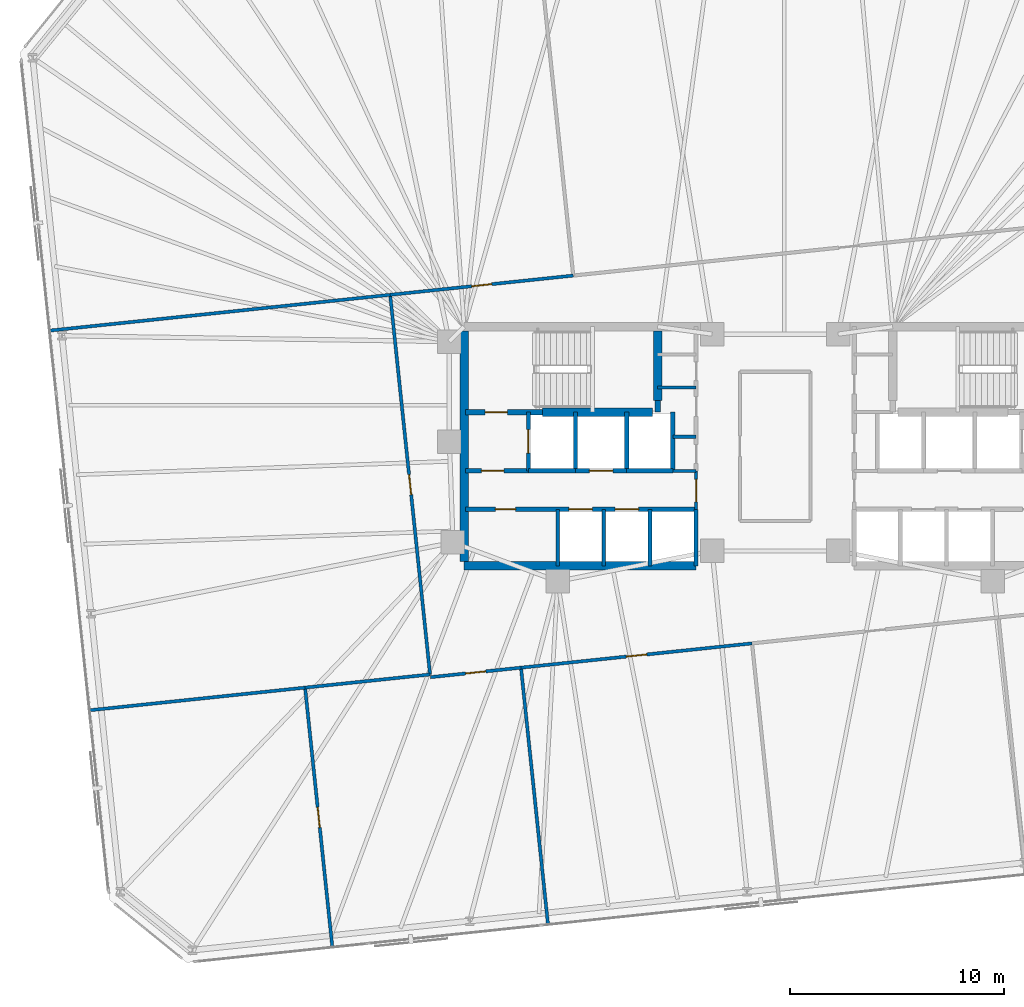
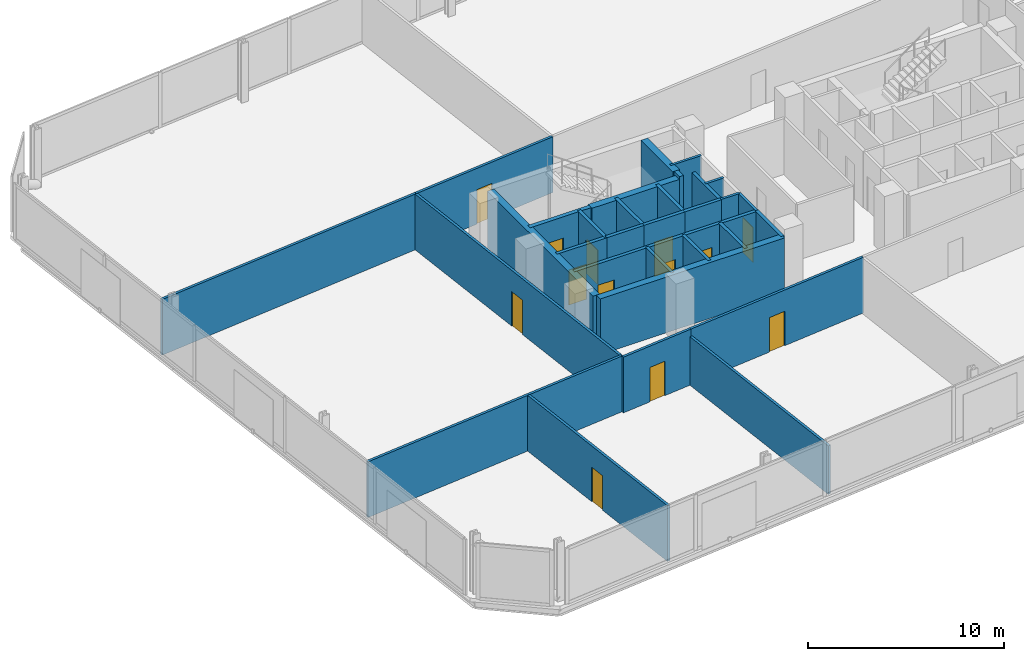
# One storey, part 14 of 18: 32 walls, 13 doors, 13 openings.
"""IFC4 building model written with IfcOpenShell, lengths in metres."""

from ifc_helpers import new_model, si_unit, direction, frame, frame_2d, origin, place, context, subcontext, project, spatial, rectangle, extrude, material, layer, layer_set, type_object, element, fill, save


model = new_model("IFC4")

# Units and contexts
model_context = context("Model", 3, precision=1e-05, world=origin(), true_north=direction((0.0, 1.0)))
body_context = subcontext(model_context, "Body", "Model", "MODEL_VIEW")
ifc_project = project(units=[si_unit("LENGTHUNIT", "METRE"), si_unit("AREAUNIT", "SQUARE_METRE"), si_unit("VOLUMEUNIT", "CUBIC_METRE"), si_unit("PLANEANGLEUNIT", "RADIAN"), si_unit("MASSUNIT", "GRAM", prefix="KILO")], contexts=[model_context])

# Site, building, storey
site_placement = place(None, origin())
site = spatial("IfcSite", under=ifc_project, at=site_placement, CompositionType="ELEMENT")
building_placement = place(site_placement, origin())
building = spatial("IfcBuilding", under=site, at=building_placement, Name="Menara Jurai Vektor", CompositionType="ELEMENT")
storey_placement = place(building_placement, frame((0.0, 0.0, 102.199951171875)))
storey = spatial("IfcBuildingStorey", under=building, at=storey_placement, Name="L25", CompositionType="ELEMENT", Elevation=102.199951171875)

# Wall, opening, door
ifc_material_1 = material(Name="Concrete C40/50", Category="concrete")
ifc_layer_1 = layer(ifc_material_1, 0.25)
ifc_layer_set_1 = layer_set([ifc_layer_1], Name="Concrete C40/50")
wall_type_1 = type_object("IfcWallType", Name="INT-WALL-CORE-250", PredefinedType="STANDARD", material=ifc_layer_set_1)
wall_1_placement = place(storey_placement, frame((-14.5, 1.60009765625, 0.0), z_axis=(0.0, 0.0, 1.0), x_axis=(1.0, 0.0, 0.0)))
wall_1 = element("IfcWall", 1, at=wall_1_placement, inside=storey, type_object=wall_type_1, Name="Interior Wall IW-250 L25", PredefinedType="STANDARD", context=body_context, shape_type="SweptSolid", body=[
    extrude(rectangle(XDim=3.60009765625, YDim=0.25, at=frame_2d((1.800048828125, 0.0))), origin(), (0.0, 0.0, 1.0), 3.47509765625),
])
opening_1_placement = place(wall_1_placement, frame((0.919921875, 0.0, 0.0)))
opening_1 = element("IfcOpeningElement", 2, at=opening_1_placement, cuts=wall_1, Name="Opening D-L25-ST1", PredefinedType="OPENING", context=body_context, shape_type="SweptSolid", body=[
    extrude(rectangle(XDim=1.050048828125, YDim=2.14990234375, at=frame_2d((0.52490234375, 1.074951171875))), frame((0.0, 0.135009765625, 0.0), z_axis=(0.0, -1.0, 0.0), x_axis=(1.0, 0.0, 0.0)), (0.0, 0.0, 1.0), 0.27001953125),
])
ifc_material_2 = material(Name="Fire-Rated Steel Door", Category="steel")
door_type_1 = type_object("IfcDoorType", Name="DR-STAIR-1050", OperationType="NOTDEFINED", PredefinedType="DOOR", material=ifc_material_2)
door_1_placement = place(opening_1_placement, origin())
door_1 = element("IfcDoor", 3, at=door_1_placement, inside=storey, type_object=door_type_1, Name="Exit Stair ST1 Door L25", OperationType="SINGLE_SWING_RIGHT", OverallHeight=2.14990234375, OverallWidth=1.050048828125, PredefinedType="DOOR", context=body_context, shape_type="SweptSolid", body=[
    extrude(rectangle(XDim=1.050048828125, YDim=2.14990234375, at=frame_2d((0.52490234375, 1.074951171875))), frame((0.0, 0.02490234375, 0.0), z_axis=(0.0, -1.0, 0.0), x_axis=(1.0, 0.0, 0.0)), (0.0, 0.0, 1.0), 0.050048828125),
])
fill(opening_1, door_1)

# Wall
wall_2_placement = place(storey_placement, frame((-5.5, 1.60009765625, 0.0), z_axis=(0.0, 0.0, 1.0), x_axis=(0.0, 1.0, 0.0)))
element("IfcWall", 4, at=wall_2_placement, inside=storey, type_object=wall_type_1, Name="Interior Wall IW-250 L25", PredefinedType="STANDARD", context=body_context, shape_type="SweptSolid", body=[
    extrude(rectangle(XDim=0.5498046875, YDim=0.25, at=frame_2d((0.27490234375, 0.0))), origin(), (0.0, 0.0, 1.0), 3.47509765625),
])

# Wall, opening, door
wall_3_placement = place(storey_placement, frame((-11.550048828125, -1.14990234375, 0.0), z_axis=(0.0, 0.0, 1.0), x_axis=(0.0, 1.0, 0.0)))
wall_3 = element("IfcWall", 5, at=wall_3_placement, inside=storey, type_object=wall_type_1, Name="Interior Wall IW-250 L25", PredefinedType="STANDARD", context=body_context, shape_type="SweptSolid", body=[
    extrude(rectangle(XDim=2.75, YDim=0.199951171875, at=frame_2d((1.375, 0.0))), origin(), (0.0, 0.0, 1.0), 3.47509765625),
])
opening_2_placement = place(wall_3_placement, frame((0.824951171875, 0.0, 0.0)))
opening_2 = element("IfcOpeningElement", 6, at=opening_2_placement, cuts=wall_3, Name="Opening LD-L25-FL1", PredefinedType="OPENING", context=body_context, shape_type="SweptSolid", body=[
    extrude(rectangle(XDim=1.10009765625, YDim=2.14990234375, at=frame_2d((0.550048828125, 1.074951171875))), frame((0.0, 0.10986328125, 0.0), z_axis=(0.0, -1.0, 0.0), x_axis=(1.0, 0.0, 0.0)), (0.0, 0.0, 1.0), 0.219970703125),
])
ifc_material_3 = material(Name="Stainless Steel Sliding Lift Landing Door", Category="steel")
door_type_2 = type_object("IfcDoorType", Name="DR-LIFT-FIRE-1100", OperationType="NOTDEFINED", PredefinedType="DOOR", material=ifc_material_3)
door_2_placement = place(opening_2_placement, origin())
door_2 = element("IfcDoor", 7, at=door_2_placement, inside=storey, type_object=door_type_2, Name="Lift Landing Door FL1 L25", OperationType="SLIDING_TO_RIGHT", OverallHeight=2.14990234375, OverallWidth=1.10009765625, PredefinedType="DOOR", context=body_context, shape_type="SweptSolid", body=[
    extrude(rectangle(XDim=1.10009765625, YDim=2.14990234375, at=frame_2d((0.550048828125, 1.074951171875))), frame((0.0, 0.02490234375, 0.0), z_axis=(0.0, -1.0, 0.0), x_axis=(1.0, 0.0, 0.0)), (0.0, 0.0, 1.0), 0.050048828125),
])
fill(opening_2, door_2)

# Wall
wall_4_placement = place(storey_placement, frame((-9.35009765625, -1.14990234375, 0.0), z_axis=(0.0, 0.0, 1.0), x_axis=(0.0, 1.0, 0.0)))
element("IfcWall", 8, at=wall_4_placement, inside=storey, type_object=wall_type_1, Name="Interior Wall IW-250 L25", PredefinedType="STANDARD", context=body_context, shape_type="SweptSolid", body=[
    extrude(rectangle(XDim=2.75, YDim=0.199951171875, at=frame_2d((1.375, 0.0))), origin(), (0.0, 0.0, 1.0), 3.47509765625),
])

# Wall, opening, door
wall_5_placement = place(storey_placement, frame((-14.5, -1.14990234375, 0.0), z_axis=(0.0, 0.0, 1.0), x_axis=(1.0, 0.0, 0.0)))
wall_5 = element("IfcWall", 9, at=wall_5_placement, inside=storey, type_object=wall_type_1, Name="Interior Wall IW-250 L25", PredefinedType="STANDARD", context=body_context, shape_type="SweptSolid", body=[
    extrude(rectangle(XDim=2.949951171875, YDim=0.199951171875, at=frame_2d((1.47509765625, 0.0))), origin(), (0.0, 0.0, 1.0), 3.47509765625),
])
opening_3_placement = place(wall_5_placement, frame((0.75, 0.0, 0.0)))
opening_3 = element("IfcOpeningElement", 10, at=opening_3_placement, cuts=wall_5, Name="Opening D-L25-FFW", PredefinedType="OPENING", context=body_context, shape_type="SweptSolid", body=[
    extrude(rectangle(XDim=1.050048828125, YDim=2.179931640625, at=frame_2d((0.52490234375, 1.08984375))), frame((0.0, 0.10986328125, 0.0), z_axis=(0.0, -1.0, 0.0), x_axis=(1.0, 0.0, 0.0)), (0.0, 0.0, 1.0), 0.219970703125),
])
ifc_material_4 = material(Name="Fire-Rated Timber Door", Category="wood")
door_type_3 = type_object("IfcDoorType", Name="DR-LOBBY-1050", OperationType="NOTDEFINED", PredefinedType="DOOR", material=ifc_material_4)
door_3_placement = place(opening_3_placement, origin())
door_3 = element("IfcDoor", 11, at=door_3_placement, inside=storey, type_object=door_type_3, Name="Fire Lift Lobby Door W L25", OperationType="SINGLE_SWING_RIGHT", OverallHeight=2.179931640625, OverallWidth=1.050048828125, PredefinedType="DOOR", context=body_context, shape_type="SweptSolid", body=[
    extrude(rectangle(XDim=1.050048828125, YDim=2.179931640625, at=frame_2d((0.52490234375, 1.08984375))), frame((0.0, 0.02490234375, 0.0), z_axis=(0.0, -1.0, 0.0), x_axis=(1.0, 0.0, 0.0)), (0.0, 0.0, 1.0), 0.050048828125),
])
fill(opening_3, door_3)

# Wall
wall_6_placement = place(storey_placement, frame((-11.550048828125, -1.14990234375, 0.0), z_axis=(0.0, 0.0, 1.0), x_axis=(1.0, 0.0, 0.0)))
element("IfcWall", 12, at=wall_6_placement, inside=storey, type_object=wall_type_1, Name="Interior Wall IW-250 L25", PredefinedType="STANDARD", context=body_context, shape_type="SweptSolid", body=[
    extrude(rectangle(XDim=2.199951171875, YDim=0.199951171875, at=frame_2d((1.10009765625, 0.0))), origin(), (0.0, 0.0, 1.0), 3.47509765625),
])

# Wall, opening, door
ifc_material_5 = material(Name="Gypsum Fireboard Partition", Category="gypsum")
ifc_layer_2 = layer(ifc_material_5, 0.14990234375)
ifc_layer_set_2 = layer_set([ifc_layer_2], Name="Gypsum Fireboard Partition")
wall_type_2 = type_object("IfcWallType", Name="INT-WALL-CORR-150", PredefinedType="PARTITIONING", material=ifc_layer_set_2)
wall_7_placement = place(storey_placement, frame((-3.699951171875, -2.949951171875, 0.0), z_axis=(0.0, 0.0, 1.0), x_axis=(0.0, 1.0, 0.0)))
wall_7 = element("IfcWall", 13, at=wall_7_placement, inside=storey, type_object=wall_type_2, Name="Interior Wall IW-150 L25", PredefinedType="PARTITIONING", context=body_context, shape_type="SweptSolid", body=[
    extrude(rectangle(XDim=1.800048828125, YDim=0.14990234375, at=frame_2d((0.89990234375, 0.0))), origin(), (0.0, 0.0, 1.0), 3.47509765625),
])
opening_4_placement = place(wall_7_placement, frame((0.35009765625, 0.0, 0.0)))
opening_4 = element("IfcOpeningElement", 14, at=opening_4_placement, cuts=wall_7, Name="Opening D-L25-LLW", PredefinedType="OPENING", context=body_context, shape_type="SweptSolid", body=[
    extrude(rectangle(XDim=1.050048828125, YDim=2.179931640625, at=frame_2d((0.52490234375, 1.08984375))), frame((0.0, 0.0849609375, 0.0), z_axis=(0.0, -1.0, 0.0), x_axis=(1.0, 0.0, 0.0)), (0.0, 0.0, 1.0), 0.169921875),
])
door_4_placement = place(opening_4_placement, origin())
door_4 = element("IfcDoor", 15, at=door_4_placement, inside=storey, type_object=door_type_3, Name="Lift Lobby Corridor Door W L25", OperationType="SINGLE_SWING_LEFT", OverallHeight=2.179931640625, OverallWidth=1.050048828125, PredefinedType="DOOR", context=body_context, shape_type="SweptSolid", body=[
    extrude(rectangle(XDim=1.050048828125, YDim=2.179931640625, at=frame_2d((0.52490234375, 1.08984375))), frame((0.0, 0.02490234375, 0.0), z_axis=(0.0, -1.0, 0.0), x_axis=(1.0, 0.0, 0.0)), (0.0, 0.0, 1.0), 0.050048828125),
])
fill(opening_4, door_4)

# Walls
for number, where, z_axis, x_axis, name in (
    (16, (-4.7900390625, -1.14990234375, 0.0), (0.0, 0.0, 1.0), (1.0, 0.0, 0.0), "Interior Wall IW-150 L25"),
    (17, (-4.7900390625, 0.449951171875, 0.0), (0.0, 0.0, 1.0), (1.0, 0.0, 0.0), "Interior Wall IW-150 L25"),
):
    element("IfcWall", number, at=place(storey_placement, frame(where, z_axis=z_axis, x_axis=x_axis)), inside=storey, type_object=wall_type_2, Name=name, PredefinedType="PARTITIONING", context=body_context, shape_type="SweptSolid", body=[
        extrude(rectangle(XDim=1.090087890625, YDim=0.14990234375, at=frame_2d((0.544921875, 0.0))), origin(), (0.0, 0.0, 1.0), 3.47509765625),
    ])
wall_8_placement = place(storey_placement, frame((-5.5, 2.75, 0.0), z_axis=(0.0, 0.0, 1.0), x_axis=(1.0, 0.0, 0.0)))
element("IfcWall", 18, at=wall_8_placement, inside=storey, type_object=wall_type_2, Name="Interior Wall IW-150 L25", PredefinedType="PARTITIONING", context=body_context, shape_type="SweptSolid", body=[
    extrude(rectangle(XDim=1.800048828125, YDim=0.14990234375, at=frame_2d((0.89990234375, 0.0))), origin(), (0.0, 0.0, 1.0), 3.47509765625),
])

# Wall, opening, door
wall_9_placement = place(storey_placement, frame((-18.021240234375, 7.09033203125, 0.0), z_axis=(0.0, 0.0, 1.0), x_axis=(0.994522981742, 0.104518126592, 0.0)))
wall_9 = element("IfcWall", 19, at=wall_9_placement, inside=storey, type_object=wall_type_2, Name="Interior Wall IW-150 L25", PredefinedType="PARTITIONING", context=body_context, shape_type="SweptSolid", body=[
    extrude(rectangle(XDim=8.616943359375, YDim=0.14990234375, at=frame_2d((4.30859375, 0.0))), origin(), (0.0, 0.0, 1.0), 3.47509765625),
])
opening_5_placement = place(wall_9_placement, frame((3.83349609375, 0.0, 0.0)))
opening_5 = element("IfcOpeningElement", 20, at=opening_5_placement, cuts=wall_9, Name="Opening D25-09", PredefinedType="OPENING", context=body_context, shape_type="SweptSolid", body=[
    extrude(rectangle(XDim=0.949951171875, YDim=2.14990234375, at=frame_2d((0.47509765625, 1.074951171875))), frame((0.0, 0.0849609375, 0.0), z_axis=(0.0, -1.0, 0.0), x_axis=(1.0, 0.0, 0.0)), (0.0, 0.0, 1.0), 0.169921875),
])
ifc_material_6 = material(Name="Solid Core Timber Fire Door", Category="wood")
door_type_4 = type_object("IfcDoorType", Name="DR-ENTRY-950", OperationType="NOTDEFINED", PredefinedType="DOOR", material=ifc_material_6)
door_5_placement = place(opening_5_placement, origin())
door_5 = element("IfcDoor", 21, at=door_5_placement, inside=storey, type_object=door_type_4, Name="Interior Door D25-09", OperationType="SINGLE_SWING_RIGHT", OverallHeight=2.14990234375, OverallWidth=0.949951171875, PredefinedType="DOOR", context=body_context, shape_type="SweptSolid", body=[
    extrude(rectangle(XDim=0.949951171875, YDim=2.14990234375, at=frame_2d((0.47509765625, 1.074951171875))), frame((0.0, 0.02490234375, 0.0), z_axis=(0.0, -1.0, 0.0), x_axis=(1.0, 0.0, 0.0)), (0.0, 0.0, 1.0), 0.050048828125),
])
fill(opening_5, door_5)

wall_10_placement = place(storey_placement, frame((-16.139892578125, -10.80908203125, 0.0), z_axis=(0.0, 0.0, 1.0), x_axis=(0.994520805081, 0.104538836136, 0.0)))
wall_10 = element("IfcWall", 22, at=wall_10_placement, inside=storey, type_object=wall_type_2, Name="Interior Wall IW-150 L25", PredefinedType="PARTITIONING", context=body_context, shape_type="SweptSolid", body=[
    extrude(rectangle(XDim=4.266845703125, YDim=0.14990234375, at=frame_2d((2.13330078125, 0.0))), origin(), (0.0, 0.0, 1.0), 3.47509765625),
])
opening_6_placement = place(wall_10_placement, frame((1.658447265625, 0.0, 0.0)))
opening_6 = element("IfcOpeningElement", 23, at=opening_6_placement, cuts=wall_10, Name="Opening D25-11", PredefinedType="OPENING", context=body_context, shape_type="SweptSolid", body=[
    extrude(rectangle(XDim=0.949951171875, YDim=2.14990234375, at=frame_2d((0.47509765625, 1.074951171875))), frame((0.0, 0.0849609375, 0.0), z_axis=(0.0, -1.0, 0.0), x_axis=(1.0, 0.0, 0.0)), (0.0, 0.0, 1.0), 0.169921875),
])
door_6_placement = place(opening_6_placement, origin())
door_6 = element("IfcDoor", 24, at=door_6_placement, inside=storey, type_object=door_type_4, Name="Interior Door D25-11", OperationType="SINGLE_SWING_RIGHT", OverallHeight=2.14990234375, OverallWidth=0.949951171875, PredefinedType="DOOR", context=body_context, shape_type="SweptSolid", body=[
    extrude(rectangle(XDim=0.949951171875, YDim=2.14990234375, at=frame_2d((0.47509765625, 1.074951171875))), frame((0.0, 0.02490234375, 0.0), z_axis=(0.0, -1.0, 0.0), x_axis=(1.0, 0.0, 0.0)), (0.0, 0.0, 1.0), 0.050048828125),
])
fill(opening_6, door_6)

wall_11_placement = place(storey_placement, frame((-11.896484375, -10.363037109375, 0.0), z_axis=(0.0, 0.0, 1.0), x_axis=(0.994522169869, 0.104525851533, 0.0)))
wall_11 = element("IfcWall", 25, at=wall_11_placement, inside=storey, type_object=wall_type_2, Name="Interior Wall IW-150 L25", PredefinedType="PARTITIONING", context=body_context, shape_type="SweptSolid", body=[
    extrude(rectangle(XDim=10.875, YDim=0.14990234375, at=frame_2d((5.4375, 0.0))), origin(), (0.0, 0.0, 1.0), 3.47509765625),
])
opening_7_placement = place(wall_11_placement, frame((4.96240234375, 0.0, 0.0)))
opening_7 = element("IfcOpeningElement", 26, at=opening_7_placement, cuts=wall_11, Name="Opening D25-12", PredefinedType="OPENING", context=body_context, shape_type="SweptSolid", body=[
    extrude(rectangle(XDim=0.949951171875, YDim=2.14990234375, at=frame_2d((0.47509765625, 1.074951171875))), frame((0.0, 0.0849609375, 0.0), z_axis=(0.0, -1.0, 0.0), x_axis=(1.0, 0.0, 0.0)), (0.0, 0.0, 1.0), 0.169921875),
])
door_7_placement = place(opening_7_placement, origin())
door_7 = element("IfcDoor", 27, at=door_7_placement, inside=storey, type_object=door_type_4, Name="Interior Door D25-12", OperationType="SINGLE_SWING_LEFT", OverallHeight=2.14990234375, OverallWidth=0.949951171875, PredefinedType="DOOR", context=body_context, shape_type="SweptSolid", body=[
    extrude(rectangle(XDim=0.949951171875, YDim=2.14990234375, at=frame_2d((0.47509765625, 1.074951171875))), frame((0.0, 0.02490234375, 0.0), z_axis=(0.0, -1.0, 0.0), x_axis=(1.0, 0.0, 0.0)), (0.0, 0.0, 1.0), 0.050048828125),
])
fill(opening_7, door_7)

wall_12_placement = place(storey_placement, frame((-16.1533203125, -10.681884765625, 0.0), z_axis=(0.0, 0.0, 1.0), x_axis=(-0.104527614588, 0.994521984568, 0.0)))
wall_12 = element("IfcWall", 28, at=wall_12_placement, inside=storey, type_object=wall_type_2, Name="Interior Wall IW-150 L25", PredefinedType="PARTITIONING", context=body_context, shape_type="SweptSolid", body=[
    extrude(rectangle(XDim=17.8701171875, YDim=0.14990234375, at=frame_2d((8.93505859375, 0.0))), origin(), (0.0, 0.0, 1.0), 3.47509765625),
])
opening_8_placement = place(wall_12_placement, frame((8.4599609375, 0.0, 0.0)))
opening_8 = element("IfcOpeningElement", 29, at=opening_8_placement, cuts=wall_12, Name="Opening D25-15", PredefinedType="OPENING", context=body_context, shape_type="SweptSolid", body=[
    extrude(rectangle(XDim=0.949951171875, YDim=2.14990234375, at=frame_2d((0.47509765625, 1.074951171875))), frame((0.0, 0.0849609375, 0.0), z_axis=(0.0, -1.0, 0.0), x_axis=(1.0, 0.0, 0.0)), (0.0, 0.0, 1.0), 0.169921875),
])
door_8_placement = place(opening_8_placement, origin())
door_8 = element("IfcDoor", 30, at=door_8_placement, inside=storey, type_object=door_type_4, Name="Interior Door D25-15", OperationType="SINGLE_SWING_RIGHT", OverallHeight=2.14990234375, OverallWidth=0.949951171875, PredefinedType="DOOR", context=body_context, shape_type="SweptSolid", body=[
    extrude(rectangle(XDim=0.949951171875, YDim=2.14990234375, at=frame_2d((0.47509765625, 1.074951171875))), frame((0.0, 0.02490234375, 0.0), z_axis=(0.0, -1.0, 0.0), x_axis=(1.0, 0.0, 0.0)), (0.0, 0.0, 1.0), 0.050048828125),
])
fill(opening_8, door_8)

# Wall
wall_13_placement = place(storey_placement, frame((-33.966552734375, 5.414306640625, 0.0), z_axis=(0.0, 0.0, 1.0), x_axis=(0.994521211213, 0.104534972363, 0.0)))
element("IfcWall", 31, at=wall_13_placement, inside=storey, type_object=wall_type_2, Name="Interior Wall IW-150 L25", PredefinedType="PARTITIONING", context=body_context, shape_type="SweptSolid", body=[
    extrude(rectangle(XDim=16.033203125, YDim=0.14990234375, at=frame_2d((8.0166015625, 0.0))), origin(), (0.0, 0.0, 1.0), 3.47509765625),
])

# Wall, opening, door
wall_14_placement = place(storey_placement, frame((-20.726806640625, -23.45068359375, 0.0), z_axis=(0.0, 0.0, 1.0), x_axis=(-0.104522554453, 0.994522516392, 0.0)))
wall_14 = element("IfcWall", 32, at=wall_14_placement, inside=storey, type_object=wall_type_2, Name="Interior Wall IW-150 L25", PredefinedType="PARTITIONING", context=body_context, shape_type="SweptSolid", body=[
    extrude(rectangle(XDim=12.220703125, YDim=0.14990234375, at=frame_2d((6.1103515625, 0.0))), origin(), (0.0, 0.0, 1.0), 3.47509765625),
])
opening_9_placement = place(wall_14_placement, frame((5.635498046875, 0.0, 0.0)))
opening_9 = element("IfcOpeningElement", 33, at=opening_9_placement, cuts=wall_14, Name="Opening D25-19", PredefinedType="OPENING", context=body_context, shape_type="SweptSolid", body=[
    extrude(rectangle(XDim=0.949951171875, YDim=2.14990234375, at=frame_2d((0.47509765625, 1.074951171875))), frame((0.0, 0.0849609375, 0.0), z_axis=(0.0, -1.0, 0.0), x_axis=(1.0, 0.0, 0.0)), (0.0, 0.0, 1.0), 0.169921875),
])
door_9_placement = place(opening_9_placement, origin())
door_9 = element("IfcDoor", 34, at=door_9_placement, inside=storey, type_object=door_type_4, Name="Interior Door D25-19", OperationType="SINGLE_SWING_RIGHT", OverallHeight=2.14990234375, OverallWidth=0.949951171875, PredefinedType="DOOR", context=body_context, shape_type="SweptSolid", body=[
    extrude(rectangle(XDim=0.949951171875, YDim=2.14990234375, at=frame_2d((0.47509765625, 1.074951171875))), frame((0.0, 0.02490234375, 0.0), z_axis=(0.0, -1.0, 0.0), x_axis=(1.0, 0.0, 0.0)), (0.0, 0.0, 1.0), 0.050048828125),
])
fill(opening_9, door_9)

# Walls
wall_15_placement = place(storey_placement, frame((-32.0986328125, -12.357666015625, 0.0), z_axis=(0.0, 0.0, 1.0), x_axis=(0.994523757593, 0.104510743869, 0.0)))
element("IfcWall", 35, at=wall_15_placement, inside=storey, type_object=wall_type_2, Name="Interior Wall IW-150 L25", PredefinedType="PARTITIONING", context=body_context, shape_type="SweptSolid", body=[
    extrude(rectangle(XDim=10.150146484375, YDim=0.14990234375, at=frame_2d((5.0751953125, 0.0))), origin(), (0.0, 0.0, 1.0), 3.47509765625),
])
wall_16_placement = place(storey_placement, frame((-22.004150390625, -11.296875, 0.0), z_axis=(0.0, 0.0, 1.0), x_axis=(0.994521131746, 0.10453572839, 0.0)))
element("IfcWall", 36, at=wall_16_placement, inside=storey, type_object=wall_type_2, Name="Interior Wall IW-150 L25", PredefinedType="PARTITIONING", context=body_context, shape_type="SweptSolid", body=[
    extrude(rectangle(XDim=5.883056640625, YDim=0.14990234375, at=frame_2d((2.94140625, 0.0))), origin(), (0.0, 0.0, 1.0), 3.47509765625),
])
ifc_layer_3 = layer(ifc_material_5, 0.14990234375)
ifc_layer_set_3 = layer_set([ifc_layer_3], Name="Gypsum Fireboard Partition")
wall_type_3 = type_object("IfcWallType", Name="INT-WALL-CORR-150-H1", PredefinedType="PARTITIONING", material=ifc_layer_set_3)
wall_17_placement = place(storey_placement, frame((-10.63232421875, -22.389892578125, 0.0), z_axis=(0.0, 0.0, 1.0), x_axis=(-0.104535555083, 0.994521149963, 0.0)))
element("IfcWall", 37, at=wall_17_placement, inside=storey, type_object=wall_type_3, Name="Interior Wall IW-150 L25", PredefinedType="PARTITIONING", context=body_context, shape_type="SweptSolid", body=[
    extrude(rectangle(XDim=12.093017578125, YDim=0.14990234375, at=frame_2d((6.04638671875, 0.0))), origin(), (0.0, 0.0, 1.0), 3.025146484375),
])
ifc_layer_4 = layer(ifc_material_1, 0.199951171875)
ifc_layer_set_4 = layer_set([ifc_layer_4], Name="Concrete C40/50")
wall_type_4 = type_object("IfcWallType", Name="INT-WALL-SHAFT-200", PredefinedType="STANDARD", material=ifc_layer_set_4)
wall_18_placement = place(storey_placement, frame((-3.699951171875, -5.60009765625, 0.0), z_axis=(0.0, 0.0, 1.0), x_axis=(0.0, 1.0, 0.0)))
element("IfcWall", 38, at=wall_18_placement, inside=storey, type_object=wall_type_4, Name="Interior Wall IW-200 L25", PredefinedType="STANDARD", context=body_context, shape_type="SweptSolid", body=[
    extrude(rectangle(XDim=2.650146484375, YDim=0.199951171875, at=frame_2d((1.3251953125, 0.0))), origin(), (0.0, 0.0, 1.0), 3.47509765625),
])
wall_19_placement = place(storey_placement, frame((-6.949951171875, -1.14990234375, 0.0), z_axis=(0.0, 0.0, 1.0), x_axis=(0.0, 1.0, 0.0)))
element("IfcWall", 39, at=wall_19_placement, inside=storey, type_object=wall_type_4, Name="Interior Wall IW-200 L25", PredefinedType="STANDARD", context=body_context, shape_type="SweptSolid", body=[
    extrude(rectangle(XDim=2.75, YDim=0.199951171875, at=frame_2d((1.375, 0.0))), origin(), (0.0, 0.0, 1.0), 3.47509765625),
])

# Wall, opening, door
wall_20_placement = place(storey_placement, frame((-9.35009765625, -1.14990234375, 0.0), z_axis=(0.0, 0.0, 1.0), x_axis=(1.0, 0.0, 0.0)))
wall_20 = element("IfcWall", 40, at=wall_20_placement, inside=storey, type_object=wall_type_4, Name="Interior Wall IW-200 L25", PredefinedType="STANDARD", context=body_context, shape_type="SweptSolid", body=[
    extrude(rectangle(XDim=2.400146484375, YDim=0.199951171875, at=frame_2d((1.2001953125, 0.0))), origin(), (0.0, 0.0, 1.0), 3.47509765625),
])
opening_10_placement = place(wall_20_placement, frame((0.64990234375, 0.0, 0.0)))
opening_10 = element("IfcOpeningElement", 41, at=opening_10_placement, cuts=wall_20, Name="Opening LD-L25-SVL1", PredefinedType="OPENING", context=body_context, shape_type="SweptSolid", body=[
    extrude(rectangle(XDim=1.10009765625, YDim=2.14990234375, at=frame_2d((0.550048828125, 1.074951171875))), frame((0.0, 0.10986328125, 0.0), z_axis=(0.0, -1.0, 0.0), x_axis=(1.0, 0.0, 0.0)), (0.0, 0.0, 1.0), 0.219970703125),
])
ifc_material_7 = material(Name="Anodised Stainless Sliding Lift Landing Door", Category="steel")
door_type_5 = type_object("IfcDoorType", Name="DR-LIFT-PASS-1100", OperationType="NOTDEFINED", PredefinedType="DOOR", material=ifc_material_7)
door_10_placement = place(opening_10_placement, origin())
door_10 = element("IfcDoor", 42, at=door_10_placement, inside=storey, type_object=door_type_5, Name="Lift Landing Door SVL1 L25", OperationType="SLIDING_TO_RIGHT", OverallHeight=2.14990234375, OverallWidth=1.10009765625, PredefinedType="DOOR", context=body_context, shape_type="SweptSolid", body=[
    extrude(rectangle(XDim=1.10009765625, YDim=2.14990234375, at=frame_2d((0.550048828125, 1.074951171875))), frame((0.0, 0.02490234375, 0.0), z_axis=(0.0, -1.0, 0.0), x_axis=(1.0, 0.0, 0.0)), (0.0, 0.0, 1.0), 0.050048828125),
])
fill(opening_10, door_10)

# Walls
wall_21_placement = place(storey_placement, frame((-4.7900390625, -1.14990234375, 0.0), z_axis=(0.0, 0.0, 1.0), x_axis=(0.0, 1.0, 0.0)))
element("IfcWall", 43, at=wall_21_placement, inside=storey, type_object=wall_type_4, Name="Interior Wall IW-200 L25", PredefinedType="STANDARD", context=body_context, shape_type="SweptSolid", body=[
    extrude(rectangle(XDim=2.75, YDim=0.199951171875, at=frame_2d((1.375, 0.0))), origin(), (0.0, 0.0, 1.0), 3.47509765625),
])
wall_22_placement = place(storey_placement, frame((-6.949951171875, -1.14990234375, 0.0), z_axis=(0.0, 0.0, 1.0), x_axis=(1.0, 0.0, 0.0)))
element("IfcWall", 44, at=wall_22_placement, inside=storey, type_object=wall_type_4, Name="Interior Wall IW-200 L25", PredefinedType="STANDARD", context=body_context, shape_type="SweptSolid", body=[
    extrude(rectangle(XDim=2.159912109375, YDim=0.199951171875, at=frame_2d((1.080078125, 0.0))), origin(), (0.0, 0.0, 1.0), 3.47509765625),
])

# Wall, openings, doors
wall_23_placement = place(storey_placement, frame((-14.5, -2.949951171875, 0.0), z_axis=(0.0, 0.0, 1.0), x_axis=(1.0, 0.0, 0.0)))
wall_23 = element("IfcWall", 45, at=wall_23_placement, inside=storey, type_object=wall_type_4, Name="Interior Wall IW-200 L25", PredefinedType="STANDARD", context=body_context, shape_type="SweptSolid", body=[
    extrude(rectangle(XDim=10.800048828125, YDim=0.199951171875, at=frame_2d((5.39990234375, 0.0))), origin(), (0.0, 0.0, 1.0), 3.47509765625),
])
opening_11_placement = place(wall_23_placement, frame((4.85009765625, 0.0, 0.0)))
opening_11 = element("IfcOpeningElement", 46, at=opening_11_placement, cuts=wall_23, Name="Opening LD-L25-PM1", PredefinedType="OPENING", context=body_context, shape_type="SweptSolid", body=[
    extrude(rectangle(XDim=1.10009765625, YDim=2.14990234375, at=frame_2d((0.550048828125, 1.074951171875))), frame((0.0, 0.10986328125, 0.0), z_axis=(0.0, -1.0, 0.0), x_axis=(1.0, 0.0, 0.0)), (0.0, 0.0, 1.0), 0.219970703125),
])
opening_12_placement = place(wall_23_placement, frame((7.010009765625, 0.0, 0.0)))
opening_12 = element("IfcOpeningElement", 47, at=opening_12_placement, cuts=wall_23, Name="Opening LD-L25-PM2", PredefinedType="OPENING", context=body_context, shape_type="SweptSolid", body=[
    extrude(rectangle(XDim=1.10009765625, YDim=2.14990234375, at=frame_2d((0.550048828125, 1.074951171875))), frame((0.0, 0.10986328125, 0.0), z_axis=(0.0, -1.0, 0.0), x_axis=(1.0, 0.0, 0.0)), (0.0, 0.0, 1.0), 0.219970703125),
])
opening_13_placement = place(wall_23_placement, frame((1.39990234375, 0.0, 0.0)))
opening_13 = element("IfcOpeningElement", 48, at=opening_13_placement, cuts=wall_23, Name="Opening D25-01", PredefinedType="OPENING", context=body_context, shape_type="SweptSolid", body=[
    extrude(rectangle(XDim=0.949951171875, YDim=2.14990234375, at=frame_2d((0.47509765625, 1.074951171875))), frame((0.0, 0.10986328125, 0.0), z_axis=(0.0, -1.0, 0.0), x_axis=(1.0, 0.0, 0.0)), (0.0, 0.0, 1.0), 0.219970703125),
])
door_11_placement = place(opening_13_placement, origin())
door_11 = element("IfcDoor", 49, at=door_11_placement, inside=storey, type_object=door_type_4, Name="Interior Door D25-01", OperationType="SINGLE_SWING_LEFT", OverallHeight=2.14990234375, OverallWidth=0.949951171875, PredefinedType="DOOR", context=body_context, shape_type="SweptSolid", body=[
    extrude(rectangle(XDim=0.949951171875, YDim=2.14990234375, at=frame_2d((0.47509765625, 1.074951171875))), frame((0.0, 0.02490234375, 0.0), z_axis=(0.0, -1.0, 0.0), x_axis=(1.0, 0.0, 0.0)), (0.0, 0.0, 1.0), 0.050048828125),
])
fill(opening_13, door_11)
door_12_placement = place(opening_11_placement, origin())
door_12 = element("IfcDoor", 50, at=door_12_placement, inside=storey, type_object=door_type_5, Name="Lift Landing Door PM1 L25", OperationType="SLIDING_TO_LEFT", OverallHeight=2.14990234375, OverallWidth=1.10009765625, PredefinedType="DOOR", context=body_context, shape_type="SweptSolid", body=[
    extrude(rectangle(XDim=1.10009765625, YDim=2.14990234375, at=frame_2d((0.550048828125, 1.074951171875))), frame((0.0, 0.02490234375, 0.0), z_axis=(0.0, -1.0, 0.0), x_axis=(1.0, 0.0, 0.0)), (0.0, 0.0, 1.0), 0.050048828125),
])
fill(opening_11, door_12)
door_13_placement = place(opening_12_placement, origin())
door_13 = element("IfcDoor", 51, at=door_13_placement, inside=storey, type_object=door_type_5, Name="Lift Landing Door PM2 L25", OperationType="SLIDING_TO_LEFT", OverallHeight=2.14990234375, OverallWidth=1.10009765625, PredefinedType="DOOR", context=body_context, shape_type="SweptSolid", body=[
    extrude(rectangle(XDim=1.10009765625, YDim=2.14990234375, at=frame_2d((0.550048828125, 1.074951171875))), frame((0.0, 0.02490234375, 0.0), z_axis=(0.0, -1.0, 0.0), x_axis=(1.0, 0.0, 0.0)), (0.0, 0.0, 1.0), 0.050048828125),
])
fill(opening_12, door_13)

# Walls
wall_24_placement = place(storey_placement, frame((-5.860107421875, -5.60009765625, 0.0), z_axis=(0.0, 0.0, 1.0), x_axis=(0.0, 1.0, 0.0)))
element("IfcWall", 52, at=wall_24_placement, inside=storey, type_object=wall_type_4, Name="Interior Wall IW-200 L25", PredefinedType="STANDARD", context=body_context, shape_type="SweptSolid", body=[
    extrude(rectangle(XDim=2.650146484375, YDim=0.199951171875, at=frame_2d((1.3251953125, 0.0))), origin(), (0.0, 0.0, 1.0), 3.47509765625),
])
for number, where, z_axis, x_axis, name in (
    (53, (-10.179931640625, -5.60009765625, 0.0), (0.0, 0.0, 1.0), (0.0, 1.0, 0.0), "Interior Wall IW-200 L25"),
    (54, (-8.02001953125, -5.60009765625, 0.0), (0.0, 0.0, 1.0), (0.0, 1.0, 0.0), "Interior Wall IW-200 L25"),
):
    element("IfcWall", number, at=place(storey_placement, frame(where, z_axis=z_axis, x_axis=x_axis)), inside=storey, type_object=wall_type_4, Name=name, PredefinedType="STANDARD", context=body_context, shape_type="SweptSolid", body=[
        extrude(rectangle(XDim=2.650146484375, YDim=0.179931640625, at=frame_2d((1.3251953125, 0.0))), origin(), (0.0, 0.0, 1.0), 3.47509765625),
    ])
ifc_material_8 = material(Name="Concrete C50/60", Category="concrete")
ifc_layer_5 = layer(ifc_material_8, 0.39990234375)
ifc_layer_set_5 = layer_set([ifc_layer_5], Name="Concrete C50/60")
wall_type_5 = type_object("IfcWallType", Name="STR-WALL-CORE400", PredefinedType="SHEAR", material=ifc_layer_set_5)
wall_25_placement = place(storey_placement, frame((-14.56005859375, -5.60009765625, 0.0), z_axis=(0.0, 0.0, 1.0), x_axis=(1.0, 0.0, 0.0)))
element("IfcWall", 55, at=wall_25_placement, inside=storey, type_object=wall_type_5, Name="Core Shear Wall CW-W-S L25", PredefinedType="SHEAR", context=body_context, shape_type="SweptSolid", body=[
    extrude(rectangle(XDim=10.860107421875, YDim=0.39990234375, at=frame_2d((5.43017578125, 0.0))), origin(), (0.0, 0.0, 1.0), 3.47509765625),
])
wall_26_placement = place(storey_placement, frame((-14.56005859375, -5.39990234375, 0.0), z_axis=(0.0, 0.0, 1.0), x_axis=(0.0, 1.0, 0.0)))
element("IfcWall", 56, at=wall_26_placement, inside=storey, type_object=wall_type_5, Name="Core Shear Wall CW-W-W L25", PredefinedType="SHEAR", context=body_context, shape_type="SweptSolid", body=[
    extrude(rectangle(XDim=10.7998046875, YDim=0.39990234375, at=frame_2d((5.39990234375, 0.0))), origin(), (0.0, 0.0, 1.0), 3.47509765625),
])
wall_27_placement = place(storey_placement, frame((-5.5, 2.14990234375, 0.0), z_axis=(0.0, 0.0, 1.0), x_axis=(0.0, 1.0, 0.0)))
element("IfcWall", 57, at=wall_27_placement, inside=storey, type_object=wall_type_5, Name="Core Shear Wall CW-W-ST L25", PredefinedType="SHEAR", context=body_context, shape_type="SweptSolid", body=[
    extrude(rectangle(XDim=3.25, YDim=0.39990234375, at=frame_2d((1.625, 0.0))), origin(), (0.0, 0.0, 1.0), 3.47509765625),
])
wall_28_placement = place(storey_placement, frame((-10.89990234375, 1.60009765625, 0.0), z_axis=(0.0, 0.0, 1.0), x_axis=(1.0, 0.0, 0.0)))
element("IfcWall", 58, at=wall_28_placement, inside=storey, type_object=wall_type_5, Name="Core Shear Wall CW-W-STS L25", PredefinedType="SHEAR", context=body_context, shape_type="SweptSolid", body=[
    extrude(rectangle(XDim=5.14990234375, YDim=0.39990234375, at=frame_2d((2.574951171875, 0.0))), origin(), (0.0, 0.0, 1.0), 3.47509765625),
])

save(model, "model.ifc")
